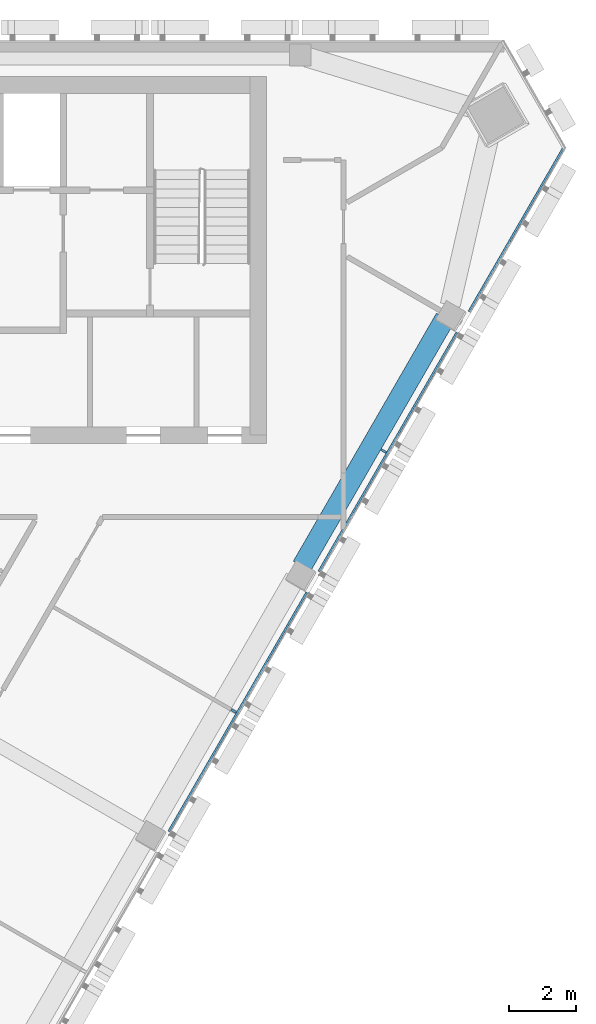
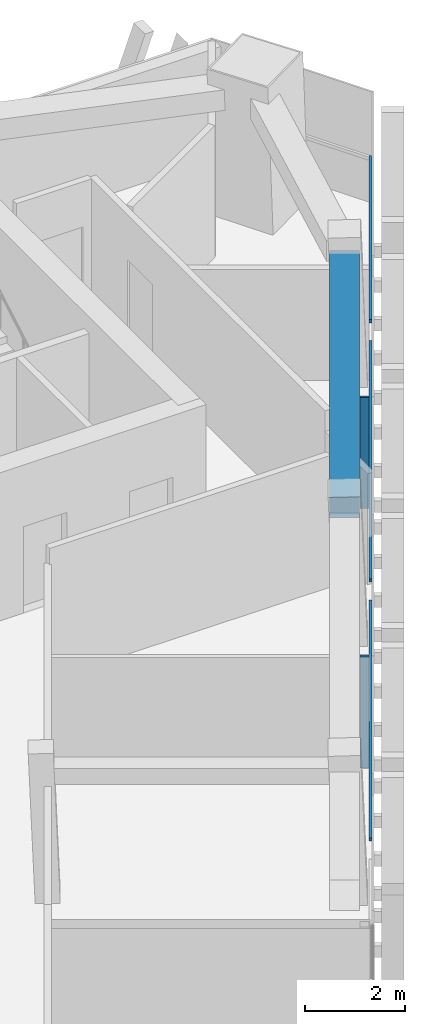
# One storey, part 4 of 10: 5 members, 1 beam, 1 element without a shape of its own.
"""IFC4 building model written with IfcOpenShell, lengths in metres."""

from ifc_helpers import new_model, si_unit, direction, frame, origin, origin_2d, place, context, subcontext, project, spatial, rectangle, extrude, material, layer, layer_set, material_profile, profile_set, type_object, element, aggregate, save


model = new_model("IFC4")

# Units and contexts
model_context = context("Model", 3, precision=1e-05, world=origin(), true_north=direction((0.0, 1.0)))
body_context = subcontext(model_context, "Body", "Model", "MODEL_VIEW")
ifc_project = project(units=[si_unit("LENGTHUNIT", "METRE"), si_unit("AREAUNIT", "SQUARE_METRE"), si_unit("VOLUMEUNIT", "CUBIC_METRE"), si_unit("PLANEANGLEUNIT", "RADIAN"), si_unit("MASSUNIT", "GRAM", prefix="KILO")], contexts=[model_context])

# Site, building, storey
site_placement = place(None, origin())
site = spatial("IfcSite", under=ifc_project, at=site_placement, CompositionType="ELEMENT")
building_placement = place(site_placement, origin())
building = spatial("IfcBuilding", under=site, at=building_placement, Name="Altiplano Prism Tower", CompositionType="ELEMENT")
storey_placement = place(building_placement, frame((0.0, 0.0, 320.199951171875)))
storey = spatial("IfcBuildingStorey", under=building, at=storey_placement, Name="L83", CompositionType="ELEMENT", Elevation=320.199951171875)

# Curtain wall, members
ifc_material_1 = material(Name="Aluminium and glass", Category="aluminium")
ifc_layer = layer(ifc_material_1, 0.280029296875)
ifc_layer_set = layer_set([ifc_layer], Name="Aluminium and glass")
curtain_wall_type = type_object("IfcCurtainWallType", Name="CW1 typical co-living unitised curtain wall", PredefinedType="NOTDEFINED", material=ifc_layer_set)
curtain_wall_placement = place(storey_placement, origin())
curtain_wall = element("IfcCurtainWall", 1, at=curtain_wall_placement, inside=storey, type_object=curtain_wall_type, Name="CW1 curtain wall south-east face L83", PredefinedType="NOTDEFINED")
ifc_material_2 = material(Name="Aluminium", Category="aluminium")
ifc_material_profile_1 = material_profile(ifc_material_2, rectangle(XDim=0.179931640625, YDim=0.06494140625, at=origin_2d()), Name="CW1 mullion 65 x 180")
ifc_profile_set_1 = profile_set([ifc_material_profile_1], Name="Aluminium")
member_type_1 = type_object("IfcMemberType", Name="CW1 mullion 65 x 180", PredefinedType="MULLION", material=ifc_profile_set_1)
member_1_placement = place(storey_placement, frame((96.50732421875, 84.87890625, 0.0), z_axis=(0.0, 0.0, 1.0), x_axis=(-0.866025398967, 0.500000008343, 0.0)))
member_1 = element("IfcMember", 2, at=member_1_placement, type_object=member_type_1, Name="CW1 mullion", PredefinedType="MULLION", context=body_context, shape_type="SweptSolid", body=[
    extrude(rectangle(XDim=0.179931640625, YDim=0.06494140625, at=origin_2d()), origin(), (0.0, 0.0, 1.0), 2.699951171875),
])
member_2_placement = place(storey_placement, frame((101.00732421875, 92.673095703125, 0.0), z_axis=(0.0, 0.0, 1.0), x_axis=(-0.866025398967, 0.500000008343, 0.0)))
member_2 = element("IfcMember", 3, at=member_2_placement, type_object=member_type_1, Name="CW1 mullion", PredefinedType="MULLION", context=body_context, shape_type="SweptSolid", body=[
    extrude(rectangle(XDim=0.179931640625, YDim=0.06494140625, at=origin_2d()), origin(), (0.0, 0.0, 1.0), 2.699951171875),
])
ifc_material_profile_2 = material_profile(ifc_material_2, rectangle(XDim=0.06005859375, YDim=0.080078125, at=origin_2d()), Name="CW1 transom 80 x 60")
ifc_profile_set_2 = profile_set([ifc_material_profile_2], Name="Aluminium")
member_type_2 = type_object("IfcMemberType", Name="CW1 transom 80 x 60", PredefinedType="USERDEFINED", material=ifc_profile_set_2)
member_3_placement = place(storey_placement, frame((94.5634765625, 81.272216796875, 1.10009765625), z_axis=(0.50000951748, 0.866019908795, 0.0), x_axis=(-0.866019908795, 0.50000951748, 0.0)))
member_3 = element("IfcMember", 4, at=member_3_placement, type_object=member_type_2, Name="CW1 transom", ObjectType="TRANSOM", PredefinedType="USERDEFINED", context=body_context, shape_type="SweptSolid", body=[
    extrude(rectangle(XDim=0.06005859375, YDim=0.080078125, at=origin_2d()), origin(), (0.0, 0.0, 1.0), 8.269775390625),
])
member_4_placement = place(storey_placement, frame((99.0634765625, 89.06640625, 1.10009765625), z_axis=(0.50000951748, 0.866019908795, 0.0), x_axis=(-0.866019908795, 0.50000951748, 0.0)))
member_4 = element("IfcMember", 5, at=member_4_placement, type_object=member_type_2, Name="CW1 transom", ObjectType="TRANSOM", PredefinedType="USERDEFINED", context=body_context, shape_type="SweptSolid", body=[
    extrude(rectangle(XDim=0.06005859375, YDim=0.080078125, at=origin_2d()), origin(), (0.0, 0.0, 1.0), 8.269775390625),
])
member_5_placement = place(storey_placement, frame((103.5634765625, 96.860595703125, 1.10009765625), z_axis=(0.500012482073, 0.866018197136, 0.0), x_axis=(-0.866018197136, 0.500012482073, 0.0)))
member_5 = element("IfcMember", 6, at=member_5_placement, type_object=member_type_2, Name="CW1 transom", ObjectType="TRANSOM", PredefinedType="USERDEFINED", context=body_context, shape_type="SweptSolid", body=[
    extrude(rectangle(XDim=0.06005859375, YDim=0.080078125, at=origin_2d()), origin(), (0.0, 0.0, 1.0), 5.707763671875),
])
aggregate(curtain_wall, [member_1, member_3, member_2, member_4, member_5])

# Beam
ifc_material_3 = material(Name="Concrete C60/75", Category="concrete")
ifc_material_profile_3 = material_profile(ifc_material_3, rectangle(XDim=0.60009765625, YDim=0.5, at=origin_2d()), Name="Edge beam 600x500")
ifc_profile_set_3 = profile_set([ifc_material_profile_3], Name="Concrete C60/75")
beam_type = type_object("IfcBeamType", Name="Edge beam 600x500", PredefinedType="SPANDREL", material=ifc_profile_set_3)
beam_placement = place(storey_placement, frame((98.5546875, 89.221923828125, 2.949951171875), z_axis=(0.499990619765, 0.866030819398, 0.0), x_axis=(-0.866030819398, 0.499990619765, 0.0)))
element("IfcBeam", 7, at=beam_placement, inside=storey, type_object=beam_type, Name="Edge beam P23-P24 L84", PredefinedType="SPANDREL", context=body_context, shape_type="SweptSolid", body=[
    extrude(rectangle(XDim=0.60009765625, YDim=0.5, at=origin_2d()), origin(), (0.0, 0.0, 1.0), 8.590087890625),
])

save(model, "model.ifc")
